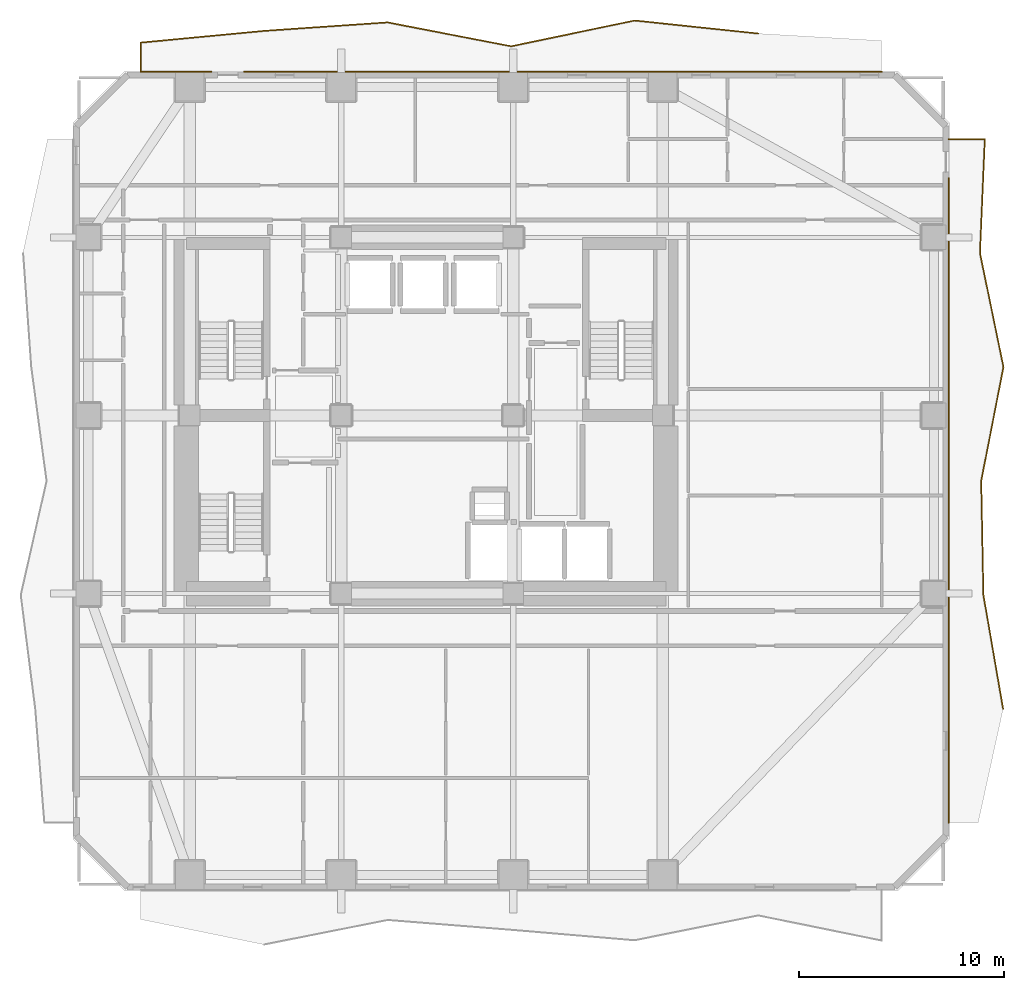
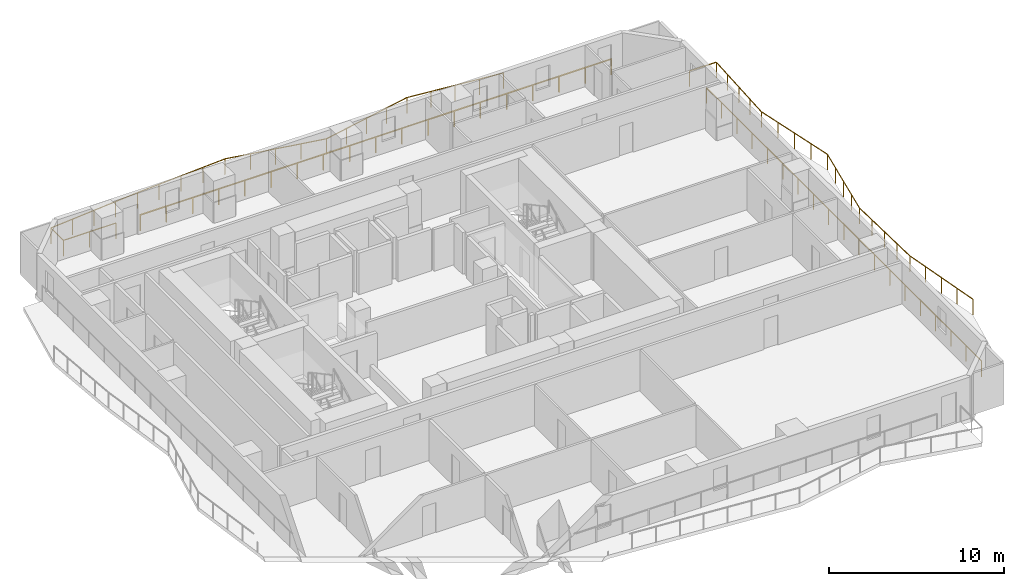
# One storey, part 9 of 9: 4 railings.
"""IFC4 building model written with IfcOpenShell, lengths in metres."""

from ifc_helpers import new_model, si_unit, direction, frame, origin, origin_2d, place, context, subcontext, project, spatial, rectangle, extrude, material, type_object, element, save


model = new_model("IFC4")

# Units and contexts
model_context = context("Model", 3, precision=1e-05, world=origin(), true_north=direction((0.0, 1.0)))
body_context = subcontext(model_context, "Body", "Model", "MODEL_VIEW")
ifc_project = project(units=[si_unit("LENGTHUNIT", "METRE"), si_unit("AREAUNIT", "SQUARE_METRE"), si_unit("VOLUMEUNIT", "CUBIC_METRE"), si_unit("PLANEANGLEUNIT", "RADIAN"), si_unit("MASSUNIT", "GRAM", prefix="KILO")], contexts=[model_context])

# Site, building, storey
site_placement = place(None, origin())
site = spatial("IfcSite", under=ifc_project, at=site_placement, CompositionType="ELEMENT")
building_placement = place(site_placement, origin())
building = spatial("IfcBuilding", under=site, at=building_placement, Name="Solanera Arch Residences", CompositionType="ELEMENT")
storey_placement = place(building_placement, frame((0.0, 0.0, 58.52001953125)))
storey = spatial("IfcBuildingStorey", under=building, at=storey_placement, Name="L16", CompositionType="ELEMENT", Elevation=58.52001953125)

# Railings
ifc_material = material(Name="Steel S355 (ASTM A992 / A572 Grade 50)", Category="steel")
railing_type = type_object("IfcRailingType", Name="Balustrade Railing BL-1100", PredefinedType="BALUSTRADE", material=ifc_material)
railing_1_placement = place(storey_placement, frame((41.1669921875, 49.35693359375, 0.0)))
element("IfcRailing", 1, at=railing_1_placement, inside=storey, type_object=railing_type, Name="L16 N Balcony Balustrade 1", PredefinedType="BALUSTRADE", context=body_context, shape_type="SweptSolid", body=[
    extrude(rectangle(XDim=0.048095703125, YDim=0.048095703125, at=origin_2d()), frame((0.0, 0.0, 1.09619140625), z_axis=(-0.994507878021, 0.104661743505, 0.0), x_axis=(-0.104661743505, -0.994507878021, 0.0)), (0.0, 0.0, 1.0), 6.067138671875),
    extrude(rectangle(XDim=0.048095703125, YDim=0.048095703125, at=origin_2d()), frame((-6.033935546875, 0.635009765625, 1.09619140625), z_axis=(-0.978910163279, -0.204291194692, 0.0), x_axis=(0.204291194692, -0.978910163279, 0.0)), (0.0, 0.0, 1.0), 6.162841796875),
    extrude(rectangle(XDim=0.048095703125, YDim=0.048095703125, at=origin_2d()), frame((-12.06689453125, -0.6240234375, 1.09619140625), z_axis=(-0.981772198958, 0.190061435732, 0.0), x_axis=(-0.190061435732, -0.981772198958, 0.0)), (0.0, 0.0, 1.0), 6.145263671875),
    extrude(rectangle(XDim=0.048095703125, YDim=0.048095703125, at=origin_2d()), frame((-18.10009765625, 0.5439453125, 1.09619140625), z_axis=(-0.997645495095, -0.068581820602, 0.0), x_axis=(0.068581820602, -0.997645495095, 0.0)), (0.0, 0.0, 1.0), 6.048095703125),
    extrude(rectangle(XDim=0.048095703125, YDim=0.048095703125, at=origin_2d()), frame((-24.134033203125, 0.129150390625, 1.09619140625), z_axis=(-0.995504701942, -0.094712134445, 0.0), x_axis=(0.094712134445, -0.995504701942, 0.0)), (0.0, 0.0, 1.0), 6.060302734375),
    extrude(rectangle(XDim=0.048095703125, YDim=0.048095703125, at=origin_2d()), frame((-30.1669921875, -0.44482421875, 1.09619140625), z_axis=(0.0, -1.0, 0.0), x_axis=(1.0, 0.0, 0.0)), (0.0, 0.0, 1.0), 1.43212890625),
    extrude(rectangle(XDim=0.048095703125, YDim=0.048095703125, at=origin_2d()), frame((-30.1669921875, -1.876953125, 1.09619140625), z_axis=(1.0, 0.0, 0.0), x_axis=(0.0, 1.0, 0.0)), (0.0, 0.0, 1.0), 3.468017578125),
    extrude(rectangle(XDim=0.0419921875, YDim=0.0419921875, at=origin_2d()), origin(), (0.0, 0.0, 1.0), 1.072021484375),
    extrude(rectangle(XDim=0.0419921875, YDim=0.0419921875, at=origin_2d()), frame((-1.508544921875, 0.15869140625, 0.0)), (0.0, 0.0, 1.0), 1.072021484375),
    extrude(rectangle(XDim=0.0419921875, YDim=0.0419921875, at=origin_2d()), frame((-3.01708984375, 0.3173828125, 0.0)), (0.0, 0.0, 1.0), 1.072021484375),
    extrude(rectangle(XDim=0.0419921875, YDim=0.0419921875, at=origin_2d()), frame((-4.525390625, 0.476318359375, 0.0)), (0.0, 0.0, 1.0), 1.072021484375),
    extrude(rectangle(XDim=0.0419921875, YDim=0.0419921875, at=origin_2d()), frame((-6.033935546875, 0.635009765625, 0.0)), (0.0, 0.0, 1.0), 1.072021484375),
    extrude(rectangle(XDim=0.0419921875, YDim=0.0419921875, at=origin_2d()), frame((-7.542236328125, 0.3203125, 0.0)), (0.0, 0.0, 1.0), 1.072021484375),
    extrude(rectangle(XDim=0.0419921875, YDim=0.0419921875, at=origin_2d()), frame((-9.05029296875, 0.00537109375, 0.0)), (0.0, 0.0, 1.0), 1.072021484375),
    extrude(rectangle(XDim=0.0419921875, YDim=0.0419921875, at=origin_2d()), frame((-10.55859375, -0.309326171875, 0.0)), (0.0, 0.0, 1.0), 1.072021484375),
    extrude(rectangle(XDim=0.0419921875, YDim=0.0419921875, at=origin_2d()), frame((-12.06689453125, -0.6240234375, 0.0)), (0.0, 0.0, 1.0), 1.072021484375),
    extrude(rectangle(XDim=0.0419921875, YDim=0.0419921875, at=origin_2d()), frame((-13.5751953125, -0.33203125, 0.0)), (0.0, 0.0, 1.0), 1.072021484375),
    extrude(rectangle(XDim=0.0419921875, YDim=0.0419921875, at=origin_2d()), frame((-15.08349609375, -0.0400390625, 0.0)), (0.0, 0.0, 1.0), 1.072021484375),
    extrude(rectangle(XDim=0.0419921875, YDim=0.0419921875, at=origin_2d()), frame((-16.591796875, 0.251953125, 0.0)), (0.0, 0.0, 1.0), 1.072021484375),
    extrude(rectangle(XDim=0.0419921875, YDim=0.0419921875, at=origin_2d()), frame((-18.10009765625, 0.5439453125, 0.0)), (0.0, 0.0, 1.0), 1.072021484375),
    extrude(rectangle(XDim=0.0419921875, YDim=0.0419921875, at=origin_2d()), frame((-19.608642578125, 0.440185546875, 0.0)), (0.0, 0.0, 1.0), 1.072021484375),
    extrude(rectangle(XDim=0.0419921875, YDim=0.0419921875, at=origin_2d()), frame((-21.1171875, 0.33642578125, 0.0)), (0.0, 0.0, 1.0), 1.072021484375),
    extrude(rectangle(XDim=0.0419921875, YDim=0.0419921875, at=origin_2d()), frame((-22.62548828125, 0.23291015625, 0.0)), (0.0, 0.0, 1.0), 1.072021484375),
    extrude(rectangle(XDim=0.0419921875, YDim=0.0419921875, at=origin_2d()), frame((-24.134033203125, 0.129150390625, 0.0)), (0.0, 0.0, 1.0), 1.072021484375),
    extrude(rectangle(XDim=0.0419921875, YDim=0.0419921875, at=origin_2d()), frame((-25.642333984375, -0.014404296875, 0.0)), (0.0, 0.0, 1.0), 1.072021484375),
    extrude(rectangle(XDim=0.0419921875, YDim=0.0419921875, at=origin_2d()), frame((-27.150390625, -0.15771484375, 0.0)), (0.0, 0.0, 1.0), 1.072021484375),
    extrude(rectangle(XDim=0.0419921875, YDim=0.0419921875, at=origin_2d()), frame((-28.65869140625, -0.30126953125, 0.0)), (0.0, 0.0, 1.0), 1.072021484375),
    extrude(rectangle(XDim=0.0419921875, YDim=0.0419921875, at=origin_2d()), frame((-30.1669921875, -0.44482421875, 0.0)), (0.0, 0.0, 1.0), 1.072021484375),
    extrude(rectangle(XDim=0.0419921875, YDim=0.0419921875, at=origin_2d()), frame((-30.1669921875, -1.876953125, 0.0)), (0.0, 0.0, 1.0), 1.072021484375),
    extrude(rectangle(XDim=0.0419921875, YDim=0.0419921875, at=origin_2d()), frame((-28.43310546875, -1.876953125, 0.0)), (0.0, 0.0, 1.0), 1.072021484375),
    extrude(rectangle(XDim=0.0419921875, YDim=0.0419921875, at=origin_2d()), frame((-26.698974609375, -1.876953125, 0.0)), (0.0, 0.0, 1.0), 1.072021484375),
])
railing_2_placement = place(storey_placement, frame((16.068115234375, 47.47998046875, 0.0)))
element("IfcRailing", 2, at=railing_2_placement, inside=storey, type_object=railing_type, Name="L16 N Balcony Balustrade 2", PredefinedType="BALUSTRADE", context=body_context, shape_type="SweptSolid", body=[
    extrude(rectangle(XDim=0.048095703125, YDim=0.048095703125, at=origin_2d()), frame((0.0, 0.0, 1.09619140625), z_axis=(1.0, 0.0, 0.0), x_axis=(0.0, 1.0, 0.0)), (0.0, 0.0, 1.0), 31.1318359375),
    extrude(rectangle(XDim=0.0419921875, YDim=0.0419921875, at=origin_2d()), origin(), (0.0, 0.0, 1.0), 1.072021484375),
    extrude(rectangle(XDim=0.0419921875, YDim=0.0419921875, at=origin_2d()), frame((1.7294921875, 0.0, 0.0)), (0.0, 0.0, 1.0), 1.072021484375),
    extrude(rectangle(XDim=0.0419921875, YDim=0.0419921875, at=origin_2d()), frame((3.458984375, 0.0, 0.0)), (0.0, 0.0, 1.0), 1.072021484375),
    extrude(rectangle(XDim=0.0419921875, YDim=0.0419921875, at=origin_2d()), frame((5.188720703125, 0.0, 0.0)), (0.0, 0.0, 1.0), 1.072021484375),
    extrude(rectangle(XDim=0.0419921875, YDim=0.0419921875, at=origin_2d()), frame((6.918212890625, 0.0, 0.0)), (0.0, 0.0, 1.0), 1.072021484375),
    extrude(rectangle(XDim=0.0419921875, YDim=0.0419921875, at=origin_2d()), frame((8.647705078125, 0.0, 0.0)), (0.0, 0.0, 1.0), 1.072021484375),
    extrude(rectangle(XDim=0.0419921875, YDim=0.0419921875, at=origin_2d()), frame((10.377197265625, 0.0, 0.0)), (0.0, 0.0, 1.0), 1.072021484375),
    extrude(rectangle(XDim=0.0419921875, YDim=0.0419921875, at=origin_2d()), frame((12.10693359375, 0.0, 0.0)), (0.0, 0.0, 1.0), 1.072021484375),
    extrude(rectangle(XDim=0.0419921875, YDim=0.0419921875, at=origin_2d()), frame((13.83642578125, 0.0, 0.0)), (0.0, 0.0, 1.0), 1.072021484375),
    extrude(rectangle(XDim=0.0419921875, YDim=0.0419921875, at=origin_2d()), frame((15.56591796875, 0.0, 0.0)), (0.0, 0.0, 1.0), 1.072021484375),
    extrude(rectangle(XDim=0.0419921875, YDim=0.0419921875, at=origin_2d()), frame((17.29541015625, 0.0, 0.0)), (0.0, 0.0, 1.0), 1.072021484375),
    extrude(rectangle(XDim=0.0419921875, YDim=0.0419921875, at=origin_2d()), frame((19.02490234375, 0.0, 0.0)), (0.0, 0.0, 1.0), 1.072021484375),
    extrude(rectangle(XDim=0.0419921875, YDim=0.0419921875, at=origin_2d()), frame((20.754638671875, 0.0, 0.0)), (0.0, 0.0, 1.0), 1.072021484375),
    extrude(rectangle(XDim=0.0419921875, YDim=0.0419921875, at=origin_2d()), frame((22.484130859375, 0.0, 0.0)), (0.0, 0.0, 1.0), 1.072021484375),
    extrude(rectangle(XDim=0.0419921875, YDim=0.0419921875, at=origin_2d()), frame((24.213623046875, 0.0, 0.0)), (0.0, 0.0, 1.0), 1.072021484375),
    extrude(rectangle(XDim=0.0419921875, YDim=0.0419921875, at=origin_2d()), frame((25.943115234375, 0.0, 0.0)), (0.0, 0.0, 1.0), 1.072021484375),
    extrude(rectangle(XDim=0.0419921875, YDim=0.0419921875, at=origin_2d()), frame((27.6728515625, 0.0, 0.0)), (0.0, 0.0, 1.0), 1.072021484375),
    extrude(rectangle(XDim=0.0419921875, YDim=0.0419921875, at=origin_2d()), frame((29.40234375, 0.0, 0.0)), (0.0, 0.0, 1.0), 1.072021484375),
    extrude(rectangle(XDim=0.0419921875, YDim=0.0419921875, at=origin_2d()), frame((31.1318359375, 0.0, 0.0)), (0.0, 0.0, 1.0), 1.072021484375),
])
railing_3_placement = place(storey_placement, frame((53.132080078125, 16.366943359375, 0.0)))
element("IfcRailing", 3, at=railing_3_placement, inside=storey, type_object=railing_type, Name="L16 E Balcony Balustrade 1", PredefinedType="BALUSTRADE", context=body_context, shape_type="SweptSolid", body=[
    extrude(rectangle(XDim=0.048095703125, YDim=0.048095703125, at=origin_2d()), frame((0.0, 0.0, 1.09619140625), z_axis=(-0.170668122511, 0.985328570558, 0.0), x_axis=(-0.985328570558, -0.170668122511, 0.0)), (0.0, 0.0, 1.0), 5.64892578125),
    extrude(rectangle(XDim=0.048095703125, YDim=0.048095703125, at=origin_2d()), frame((-0.964111328125, 5.566162109375, 1.09619140625), z_axis=(-0.019205298475, 0.999815561246, 0.0), x_axis=(-0.999815561246, -0.019205298475, 0.0)), (0.0, 0.0, 1.0), 5.56787109375),
    extrude(rectangle(XDim=0.048095703125, YDim=0.048095703125, at=origin_2d()), frame((-1.071044921875, 11.133056640625, 1.09619140625), z_axis=(0.191793513592, 0.981435300029, 0.0), x_axis=(-0.981435300029, 0.191793513592, 0.0)), (0.0, 0.0, 1.0), 5.672119140625),
    extrude(rectangle(XDim=0.048095703125, YDim=0.048095703125, at=origin_2d()), frame((0.016845703125, 16.699951171875, 1.09619140625), z_axis=(-0.202151041858, 0.979354356847, 0.0), x_axis=(-0.979354356847, -0.202151041858, 0.0)), (0.0, 0.0, 1.0), 5.68359375),
    extrude(rectangle(XDim=0.048095703125, YDim=0.048095703125, at=origin_2d()), frame((-1.132080078125, 22.26611328125, 1.09619140625), z_axis=(0.042720370649, 0.999087068244, 0.0), x_axis=(-0.999087068244, 0.042720370649, 0.0)), (0.0, 0.0, 1.0), 5.572021484375),
    extrude(rectangle(XDim=0.048095703125, YDim=0.048095703125, at=origin_2d()), frame((-0.89404296875, 27.8330078125, 1.09619140625), z_axis=(-1.0, 0.0, 0.0), x_axis=(0.0, -1.0, 0.0)), (0.0, 0.0, 1.0), 1.758056640625),
    extrude(rectangle(XDim=0.0419921875, YDim=0.0419921875, at=origin_2d()), origin(), (0.0, 0.0, 1.0), 1.072021484375),
    extrude(rectangle(XDim=0.0419921875, YDim=0.0419921875, at=origin_2d()), frame((-0.240966796875, 1.3916015625, 0.0)), (0.0, 0.0, 1.0), 1.072021484375),
    extrude(rectangle(XDim=0.0419921875, YDim=0.0419921875, at=origin_2d()), frame((-0.48193359375, 2.783203125, 0.0)), (0.0, 0.0, 1.0), 1.072021484375),
    extrude(rectangle(XDim=0.0419921875, YDim=0.0419921875, at=origin_2d()), frame((-0.72314453125, 4.174560546875, 0.0)), (0.0, 0.0, 1.0), 1.072021484375),
    extrude(rectangle(XDim=0.0419921875, YDim=0.0419921875, at=origin_2d()), frame((-0.964111328125, 5.566162109375, 0.0)), (0.0, 0.0, 1.0), 1.072021484375),
    extrude(rectangle(XDim=0.0419921875, YDim=0.0419921875, at=origin_2d()), frame((-0.99072265625, 6.9580078125, 0.0)), (0.0, 0.0, 1.0), 1.072021484375),
    extrude(rectangle(XDim=0.0419921875, YDim=0.0419921875, at=origin_2d()), frame((-1.017578125, 8.349609375, 0.0)), (0.0, 0.0, 1.0), 1.072021484375),
    extrude(rectangle(XDim=0.0419921875, YDim=0.0419921875, at=origin_2d()), frame((-1.04443359375, 9.7412109375, 0.0)), (0.0, 0.0, 1.0), 1.072021484375),
    extrude(rectangle(XDim=0.0419921875, YDim=0.0419921875, at=origin_2d()), frame((-1.071044921875, 11.133056640625, 0.0)), (0.0, 0.0, 1.0), 1.072021484375),
    extrude(rectangle(XDim=0.0419921875, YDim=0.0419921875, at=origin_2d()), frame((-0.799072265625, 12.52490234375, 0.0)), (0.0, 0.0, 1.0), 1.072021484375),
    extrude(rectangle(XDim=0.0419921875, YDim=0.0419921875, at=origin_2d()), frame((-0.527099609375, 13.91650390625, 0.0)), (0.0, 0.0, 1.0), 1.072021484375),
    extrude(rectangle(XDim=0.0419921875, YDim=0.0419921875, at=origin_2d()), frame((-0.255126953125, 15.30810546875, 0.0)), (0.0, 0.0, 1.0), 1.072021484375),
    extrude(rectangle(XDim=0.0419921875, YDim=0.0419921875, at=origin_2d()), frame((0.016845703125, 16.699951171875, 0.0)), (0.0, 0.0, 1.0), 1.072021484375),
    extrude(rectangle(XDim=0.0419921875, YDim=0.0419921875, at=origin_2d()), frame((-0.2705078125, 18.091552734375, 0.0)), (0.0, 0.0, 1.0), 1.072021484375),
    extrude(rectangle(XDim=0.0419921875, YDim=0.0419921875, at=origin_2d()), frame((-0.5576171875, 19.48291015625, 0.0)), (0.0, 0.0, 1.0), 1.072021484375),
    extrude(rectangle(XDim=0.0419921875, YDim=0.0419921875, at=origin_2d()), frame((-0.8447265625, 20.87451171875, 0.0)), (0.0, 0.0, 1.0), 1.072021484375),
    extrude(rectangle(XDim=0.0419921875, YDim=0.0419921875, at=origin_2d()), frame((-1.132080078125, 22.26611328125, 0.0)), (0.0, 0.0, 1.0), 1.072021484375),
    extrude(rectangle(XDim=0.0419921875, YDim=0.0419921875, at=origin_2d()), frame((-1.072509765625, 23.65771484375, 0.0)), (0.0, 0.0, 1.0), 1.072021484375),
    extrude(rectangle(XDim=0.0419921875, YDim=0.0419921875, at=origin_2d()), frame((-1.01318359375, 25.049560546875, 0.0)), (0.0, 0.0, 1.0), 1.072021484375),
    extrude(rectangle(XDim=0.0419921875, YDim=0.0419921875, at=origin_2d()), frame((-0.95361328125, 26.44140625, 0.0)), (0.0, 0.0, 1.0), 1.072021484375),
    extrude(rectangle(XDim=0.0419921875, YDim=0.0419921875, at=origin_2d()), frame((-0.89404296875, 27.8330078125, 0.0)), (0.0, 0.0, 1.0), 1.072021484375),
    extrude(rectangle(XDim=0.0419921875, YDim=0.0419921875, at=origin_2d()), frame((-2.652099609375, 27.8330078125, 0.0)), (0.0, 0.0, 1.0), 1.072021484375),
])
railing_4_placement = place(storey_placement, frame((50.47998046875, 42.283935546875, 0.0)))
element("IfcRailing", 4, at=railing_4_placement, inside=storey, type_object=railing_type, Name="L16 E Balcony Balustrade 2", PredefinedType="BALUSTRADE", context=body_context, shape_type="SweptSolid", body=[
    extrude(rectangle(XDim=0.048095703125, YDim=0.048095703125, at=origin_2d()), frame((0.0, 0.0, 1.09619140625), z_axis=(0.0, -1.0, 0.0), x_axis=(1.0, 0.0, 0.0)), (0.0, 0.0, 1.0), 31.48388671875),
    extrude(rectangle(XDim=0.0419921875, YDim=0.0419921875, at=origin_2d()), origin(), (0.0, 0.0, 1.0), 1.072021484375),
    extrude(rectangle(XDim=0.0419921875, YDim=0.0419921875, at=origin_2d()), frame((0.0, -1.7490234375, 0.0)), (0.0, 0.0, 1.0), 1.072021484375),
    extrude(rectangle(XDim=0.0419921875, YDim=0.0419921875, at=origin_2d()), frame((0.0, -3.498291015625, 0.0)), (0.0, 0.0, 1.0), 1.072021484375),
    extrude(rectangle(XDim=0.0419921875, YDim=0.0419921875, at=origin_2d()), frame((0.0, -5.247314453125, 0.0)), (0.0, 0.0, 1.0), 1.072021484375),
    extrude(rectangle(XDim=0.0419921875, YDim=0.0419921875, at=origin_2d()), frame((0.0, -6.996337890625, 0.0)), (0.0, 0.0, 1.0), 1.072021484375),
    extrude(rectangle(XDim=0.0419921875, YDim=0.0419921875, at=origin_2d()), frame((0.0, -8.74560546875, 0.0)), (0.0, 0.0, 1.0), 1.072021484375),
    extrude(rectangle(XDim=0.0419921875, YDim=0.0419921875, at=origin_2d()), frame((0.0, -10.49462890625, 0.0)), (0.0, 0.0, 1.0), 1.072021484375),
    extrude(rectangle(XDim=0.0419921875, YDim=0.0419921875, at=origin_2d()), frame((0.0, -12.24365234375, 0.0)), (0.0, 0.0, 1.0), 1.072021484375),
    extrude(rectangle(XDim=0.0419921875, YDim=0.0419921875, at=origin_2d()), frame((0.0, -13.992919921875, 0.0)), (0.0, 0.0, 1.0), 1.072021484375),
    extrude(rectangle(XDim=0.0419921875, YDim=0.0419921875, at=origin_2d()), frame((0.0, -15.741943359375, 0.0)), (0.0, 0.0, 1.0), 1.072021484375),
    extrude(rectangle(XDim=0.0419921875, YDim=0.0419921875, at=origin_2d()), frame((0.0, -17.490966796875, 0.0)), (0.0, 0.0, 1.0), 1.072021484375),
    extrude(rectangle(XDim=0.0419921875, YDim=0.0419921875, at=origin_2d()), frame((0.0, -19.240234375, 0.0)), (0.0, 0.0, 1.0), 1.072021484375),
    extrude(rectangle(XDim=0.0419921875, YDim=0.0419921875, at=origin_2d()), frame((0.0, -20.9892578125, 0.0)), (0.0, 0.0, 1.0), 1.072021484375),
    extrude(rectangle(XDim=0.0419921875, YDim=0.0419921875, at=origin_2d()), frame((0.0, -22.73828125, 0.0)), (0.0, 0.0, 1.0), 1.072021484375),
    extrude(rectangle(XDim=0.0419921875, YDim=0.0419921875, at=origin_2d()), frame((0.0, -24.487548828125, 0.0)), (0.0, 0.0, 1.0), 1.072021484375),
    extrude(rectangle(XDim=0.0419921875, YDim=0.0419921875, at=origin_2d()), frame((0.0, -26.236572265625, 0.0)), (0.0, 0.0, 1.0), 1.072021484375),
    extrude(rectangle(XDim=0.0419921875, YDim=0.0419921875, at=origin_2d()), frame((0.0, -27.985595703125, 0.0)), (0.0, 0.0, 1.0), 1.072021484375),
    extrude(rectangle(XDim=0.0419921875, YDim=0.0419921875, at=origin_2d()), frame((0.0, -29.73486328125, 0.0)), (0.0, 0.0, 1.0), 1.072021484375),
    extrude(rectangle(XDim=0.0419921875, YDim=0.0419921875, at=origin_2d()), frame((0.0, -31.48388671875, 0.0)), (0.0, 0.0, 1.0), 1.072021484375),
])

save(model, "model.ifc")
